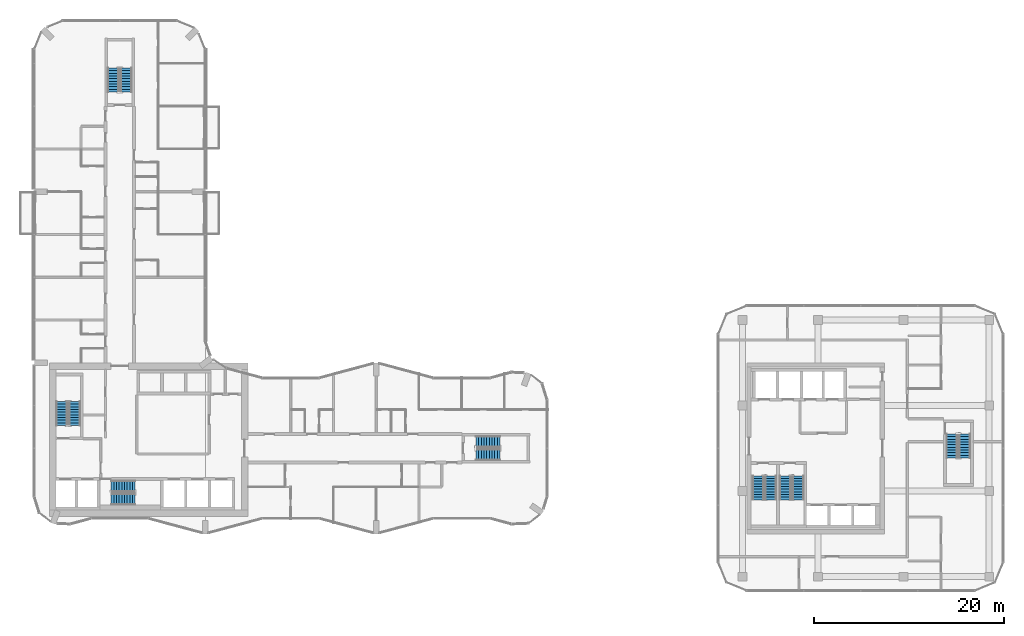
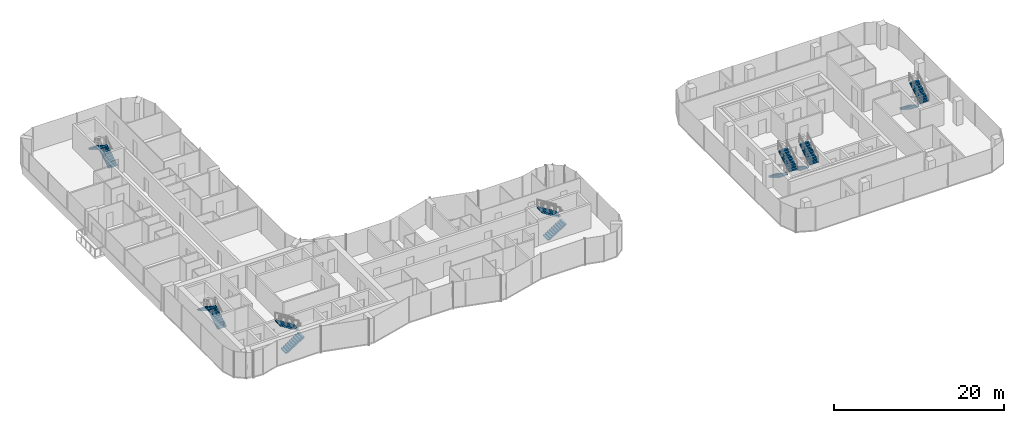
# One storey, part 19 of 22: 14 stair flights, 7 elements without a shape of their own.
"""IFC4 building model written with IfcOpenShell, lengths in metres."""

from ifc_helpers import new_model, si_unit, direction, frame, origin, place, context, subcontext, project, spatial, polyline, outline, extrude, material, type_object, element, aggregate, save


model = new_model("IFC4")

# Units and contexts
model_context = context("Model", 3, precision=1e-05, world=origin(), true_north=direction((0.0, 1.0)))
body_context = subcontext(model_context, "Body", "Model", "MODEL_VIEW")
ifc_project = project(units=[si_unit("LENGTHUNIT", "METRE"), si_unit("AREAUNIT", "SQUARE_METRE"), si_unit("VOLUMEUNIT", "CUBIC_METRE"), si_unit("PLANEANGLEUNIT", "RADIAN"), si_unit("MASSUNIT", "GRAM", prefix="KILO")], contexts=[model_context])

# Site, building, storey
site_placement = place(None, origin())
site = spatial("IfcSite", under=ifc_project, at=site_placement, CompositionType="ELEMENT")
building_placement = place(site_placement, origin())
building = spatial("IfcBuilding", under=site, at=building_placement, Name="Plateau Cross Towers", CompositionType="ELEMENT")
storey_placement = place(building_placement, frame((0.0, 0.0, 68.800048828125)))
storey = spatial("IfcBuildingStorey", under=building, at=storey_placement, Name="L17", CompositionType="ELEMENT", Elevation=68.800048828125)

# Stair, stair flights
ifc_material = material(Name="Concrete C40/50", Category="concrete")
stair_type = type_object("IfcStairType", Name="ST-TWR", PredefinedType="HALF_TURN_STAIR", material=ifc_material)
stair_1_placement = place(storey_placement, origin())
stair_1 = element("IfcStair", 1, at=stair_1_placement, inside=storey, type_object=stair_type, Name="L17 Protected Exit Stair ST-1", PredefinedType="HALF_TURN_STAIR")
stair_flight_type = type_object("IfcStairFlightType", Name="SFL-RC", PredefinedType="STRAIGHT", material=ifc_material)
stair_flight_1_placement = place(storey_placement, frame((4.25, 11.39990234375, 0.0), z_axis=(0.0, 0.0, 1.0), x_axis=(0.0, 1.0, 0.0)))
stair_flight_1 = element("IfcStairFlight", 2, at=stair_flight_1_placement, type_object=stair_flight_type, Name="ST-1 flight 1", NumberOfRisers=10, NumberOfTreads=9, PredefinedType="STRAIGHT", RiserHeight=0.175, TreadLength=0.28, context=body_context, shape_type="SweptSolid", body=[
    extrude(outline(polyline([(-0.0048828125, -0.010009765625), (-0.0048828125, 0.0), (0.0, 0.0), (0.0, 0.175048828125), (0.280029296875, 0.175048828125), (0.280029296875, 0.35009765625), (0.56005859375, 0.35009765625), (0.56005859375, 0.52490234375), (0.840087890625, 0.52490234375), (0.840087890625, 0.699951171875), (1.1201171875, 0.699951171875), (1.1201171875, 0.875), (1.39990234375, 0.875), (1.39990234375, 1.050048828125), (1.679931640625, 1.050048828125), (1.679931640625, 1.22509765625), (1.9599609375, 1.22509765625), (1.9599609375, 1.39990234375), (2.239990234375, 1.39990234375), (2.239990234375, 1.574951171875), (2.52001953125, 1.574951171875), (2.52490234375, 1.56494140625), (2.52490234375, 1.398193359375), (2.52001953125, 1.398193359375), (0.28271484375, 0.0), (0.02001953125, 0.0), (0.02001953125, -0.010009765625), (-0.0048828125, -0.010009765625)])), frame((0.0, 0.60009765625, 0.0), z_axis=(0.0, -1.0, 0.0), x_axis=(1.0, 0.0, 0.0)), (0.0, 0.0, 1.0), 1.199951171875),
])
stair_flight_2_placement = place(storey_placement, frame((2.89990234375, 13.919921875, 1.75), z_axis=(0.0, 0.0, 1.0), x_axis=(0.0, -1.0, 0.0)))
stair_flight_2 = element("IfcStairFlight", 3, at=stair_flight_2_placement, type_object=stair_flight_type, Name="ST-1 flight 2", NumberOfRisers=10, NumberOfTreads=9, PredefinedType="STRAIGHT", RiserHeight=0.175, TreadLength=0.28, context=body_context, shape_type="SweptSolid", body=[
    extrude(outline(polyline([(-0.0048828125, -0.010009765625), (-0.0048828125, 0.0), (0.0, 0.0), (0.0, 0.175048828125), (0.280029296875, 0.175048828125), (0.280029296875, 0.35009765625), (0.56005859375, 0.35009765625), (0.56005859375, 0.52490234375), (0.840087890625, 0.52490234375), (0.840087890625, 0.699951171875), (1.1201171875, 0.699951171875), (1.1201171875, 0.875), (1.39990234375, 0.875), (1.39990234375, 1.050048828125), (1.679931640625, 1.050048828125), (1.679931640625, 1.22509765625), (1.9599609375, 1.22509765625), (1.9599609375, 1.39990234375), (2.239990234375, 1.39990234375), (2.239990234375, 1.574951171875), (2.52001953125, 1.574951171875), (2.52490234375, 1.56494140625), (2.52490234375, 1.398193359375), (2.52001953125, 1.398193359375), (0.28271484375, 0.0), (0.02001953125, 0.0), (0.02001953125, -0.010009765625), (-0.0048828125, -0.010009765625)])), frame((0.0, 0.60009765625, 0.0), z_axis=(0.0, -1.0, 0.0), x_axis=(1.0, 0.0, 0.0)), (0.0, 0.0, 1.0), 1.199951171875),
])
aggregate(stair_1, [stair_flight_1, stair_flight_2])

stair_2_placement = place(storey_placement, origin())
stair_2 = element("IfcStair", 4, at=stair_2_placement, inside=storey, type_object=stair_type, Name="L17 Protected Exit Stair ST-2", PredefinedType="HALF_TURN_STAIR")
stair_flight_3_placement = place(storey_placement, frame((8.10009765625, 3.64990234375, 0.0), z_axis=(0.0, 0.0, 1.0), x_axis=(1.0, 0.0, 0.0)))
stair_flight_3 = element("IfcStairFlight", 5, at=stair_flight_3_placement, type_object=stair_flight_type, Name="ST-2 flight 1", NumberOfRisers=10, NumberOfTreads=9, PredefinedType="STRAIGHT", RiserHeight=0.175, TreadLength=0.28, context=body_context, shape_type="SweptSolid", body=[
    extrude(outline(polyline([(-0.0048828125, -0.010009765625), (-0.0048828125, 0.0), (0.0, 0.0), (0.0, 0.175048828125), (0.280029296875, 0.175048828125), (0.280029296875, 0.35009765625), (0.56005859375, 0.35009765625), (0.56005859375, 0.52490234375), (0.840087890625, 0.52490234375), (0.840087890625, 0.699951171875), (1.1201171875, 0.699951171875), (1.1201171875, 0.875), (1.39990234375, 0.875), (1.39990234375, 1.050048828125), (1.679931640625, 1.050048828125), (1.679931640625, 1.22509765625), (1.9599609375, 1.22509765625), (1.9599609375, 1.39990234375), (2.239990234375, 1.39990234375), (2.239990234375, 1.574951171875), (2.52001953125, 1.574951171875), (2.52490234375, 1.56494140625), (2.52490234375, 1.398193359375), (2.52001953125, 1.398193359375), (0.28271484375, 0.0), (0.02001953125, 0.0), (0.02001953125, -0.010009765625), (-0.0048828125, -0.010009765625)])), frame((0.0, 0.60009765625, 0.0), z_axis=(0.0, -1.0, 0.0), x_axis=(1.0, 0.0, 0.0)), (0.0, 0.0, 1.0), 1.199951171875),
])
stair_flight_4_placement = place(storey_placement, frame((10.6201171875, 5.0, 1.75), z_axis=(0.0, 0.0, 1.0), x_axis=(-1.0, 0.0, 0.0)))
stair_flight_4 = element("IfcStairFlight", 6, at=stair_flight_4_placement, type_object=stair_flight_type, Name="ST-2 flight 2", NumberOfRisers=10, NumberOfTreads=9, PredefinedType="STRAIGHT", RiserHeight=0.175, TreadLength=0.28, context=body_context, shape_type="SweptSolid", body=[
    extrude(outline(polyline([(-0.0048828125, -0.010009765625), (-0.0048828125, 0.0), (0.0, 0.0), (0.0, 0.175048828125), (0.280029296875, 0.175048828125), (0.280029296875, 0.35009765625), (0.56005859375, 0.35009765625), (0.56005859375, 0.52490234375), (0.840087890625, 0.52490234375), (0.840087890625, 0.699951171875), (1.1201171875, 0.699951171875), (1.1201171875, 0.875), (1.39990234375, 0.875), (1.39990234375, 1.050048828125), (1.679931640625, 1.050048828125), (1.679931640625, 1.22509765625), (1.9599609375, 1.22509765625), (1.9599609375, 1.39990234375), (2.239990234375, 1.39990234375), (2.239990234375, 1.574951171875), (2.52001953125, 1.574951171875), (2.52490234375, 1.56494140625), (2.52490234375, 1.398193359375), (2.52001953125, 1.398193359375), (0.28271484375, 0.0), (0.02001953125, 0.0), (0.02001953125, -0.010009765625), (-0.0048828125, -0.010009765625)])), frame((0.0, 0.60009765625, 0.0), z_axis=(0.0, -1.0, 0.0), x_axis=(1.0, 0.0, 0.0)), (0.0, 0.0, 1.0), 1.199951171875),
])
aggregate(stair_2, [stair_flight_3, stair_flight_4])

stair_3_placement = place(storey_placement, origin())
stair_3 = element("IfcStair", 7, at=stair_3_placement, inside=storey, type_object=stair_type, Name="L17 Protected Exit Stair SB-1", PredefinedType="HALF_TURN_STAIR")
stair_flight_5_placement = place(storey_placement, frame((76.199951171875, 6.10009765625, 0.0), z_axis=(0.0, 0.0, 1.0), x_axis=(0.0, -1.0, 0.0)))
stair_flight_5 = element("IfcStairFlight", 8, at=stair_flight_5_placement, type_object=stair_flight_type, Name="SB-1 flight 1", NumberOfRisers=10, NumberOfTreads=9, PredefinedType="STRAIGHT", RiserHeight=0.175, TreadLength=0.28, context=body_context, shape_type="SweptSolid", body=[
    extrude(outline(polyline([(-0.0048828125, -0.010009765625), (-0.0048828125, 0.0), (0.0, 0.0), (0.0, 0.175048828125), (0.280029296875, 0.175048828125), (0.280029296875, 0.35009765625), (0.56005859375, 0.35009765625), (0.56005859375, 0.52490234375), (0.840087890625, 0.52490234375), (0.840087890625, 0.699951171875), (1.1201171875, 0.699951171875), (1.1201171875, 0.875), (1.39990234375, 0.875), (1.39990234375, 1.050048828125), (1.679931640625, 1.050048828125), (1.679931640625, 1.22509765625), (1.9599609375, 1.22509765625), (1.9599609375, 1.39990234375), (2.239990234375, 1.39990234375), (2.239990234375, 1.574951171875), (2.52001953125, 1.574951171875), (2.52490234375, 1.56494140625), (2.52490234375, 1.398193359375), (2.52001953125, 1.398193359375), (0.28271484375, 0.0), (0.02001953125, 0.0), (0.02001953125, -0.010009765625), (-0.0048828125, -0.010009765625)])), frame((0.0, 0.60009765625, 0.0), z_axis=(0.0, -1.0, 0.0), x_axis=(1.0, 0.0, 0.0)), (0.0, 0.0, 1.0), 1.199951171875),
])
stair_flight_6_placement = place(storey_placement, frame((77.550048828125, 3.580078125, 1.75), z_axis=(0.0, 0.0, 1.0), x_axis=(0.0, 1.0, 0.0)))
stair_flight_6 = element("IfcStairFlight", 9, at=stair_flight_6_placement, type_object=stair_flight_type, Name="SB-1 flight 2", NumberOfRisers=10, NumberOfTreads=9, PredefinedType="STRAIGHT", RiserHeight=0.175, TreadLength=0.28, context=body_context, shape_type="SweptSolid", body=[
    extrude(outline(polyline([(-0.0048828125, -0.010009765625), (-0.0048828125, 0.0), (0.0, 0.0), (0.0, 0.175048828125), (0.280029296875, 0.175048828125), (0.280029296875, 0.35009765625), (0.56005859375, 0.35009765625), (0.56005859375, 0.52490234375), (0.840087890625, 0.52490234375), (0.840087890625, 0.699951171875), (1.1201171875, 0.699951171875), (1.1201171875, 0.875), (1.39990234375, 0.875), (1.39990234375, 1.050048828125), (1.679931640625, 1.050048828125), (1.679931640625, 1.22509765625), (1.9599609375, 1.22509765625), (1.9599609375, 1.39990234375), (2.239990234375, 1.39990234375), (2.239990234375, 1.574951171875), (2.52001953125, 1.574951171875), (2.52490234375, 1.56494140625), (2.52490234375, 1.398193359375), (2.52001953125, 1.398193359375), (0.28271484375, 0.0), (0.02001953125, 0.0), (0.02001953125, -0.010009765625), (-0.0048828125, -0.010009765625)])), frame((0.0, 0.60009765625, 0.0), z_axis=(0.0, -1.0, 0.0), x_axis=(1.0, 0.0, 0.0)), (0.0, 0.0, 1.0), 1.199951171875),
])
aggregate(stair_3, [stair_flight_5, stair_flight_6])

stair_4_placement = place(storey_placement, origin())
stair_4 = element("IfcStair", 10, at=stair_4_placement, inside=storey, type_object=stair_type, Name="L17 Protected Exit Stair SB-2", PredefinedType="HALF_TURN_STAIR")
stair_flight_7_placement = place(storey_placement, frame((79.050048828125, 6.10009765625, 0.0), z_axis=(0.0, 0.0, 1.0), x_axis=(0.0, -1.0, 0.0)))
stair_flight_7 = element("IfcStairFlight", 11, at=stair_flight_7_placement, type_object=stair_flight_type, Name="SB-2 flight 1", NumberOfRisers=10, NumberOfTreads=9, PredefinedType="STRAIGHT", RiserHeight=0.175, TreadLength=0.28, context=body_context, shape_type="SweptSolid", body=[
    extrude(outline(polyline([(-0.0048828125, -0.010009765625), (-0.0048828125, 0.0), (0.0, 0.0), (0.0, 0.175048828125), (0.280029296875, 0.175048828125), (0.280029296875, 0.35009765625), (0.56005859375, 0.35009765625), (0.56005859375, 0.52490234375), (0.840087890625, 0.52490234375), (0.840087890625, 0.699951171875), (1.1201171875, 0.699951171875), (1.1201171875, 0.875), (1.39990234375, 0.875), (1.39990234375, 1.050048828125), (1.679931640625, 1.050048828125), (1.679931640625, 1.22509765625), (1.9599609375, 1.22509765625), (1.9599609375, 1.39990234375), (2.239990234375, 1.39990234375), (2.239990234375, 1.574951171875), (2.52001953125, 1.574951171875), (2.52490234375, 1.56494140625), (2.52490234375, 1.398193359375), (2.52001953125, 1.398193359375), (0.28271484375, 0.0), (0.02001953125, 0.0), (0.02001953125, -0.010009765625), (-0.0048828125, -0.010009765625)])), frame((0.0, 0.60009765625, 0.0), z_axis=(0.0, -1.0, 0.0), x_axis=(1.0, 0.0, 0.0)), (0.0, 0.0, 1.0), 1.199951171875),
])
stair_flight_8_placement = place(storey_placement, frame((80.39990234375, 3.580078125, 1.75), z_axis=(0.0, 0.0, 1.0), x_axis=(0.0, 1.0, 0.0)))
stair_flight_8 = element("IfcStairFlight", 12, at=stair_flight_8_placement, type_object=stair_flight_type, Name="SB-2 flight 2", NumberOfRisers=10, NumberOfTreads=9, PredefinedType="STRAIGHT", RiserHeight=0.175, TreadLength=0.28, context=body_context, shape_type="SweptSolid", body=[
    extrude(outline(polyline([(-0.0048828125, -0.010009765625), (-0.0048828125, 0.0), (0.0, 0.0), (0.0, 0.175048828125), (0.280029296875, 0.175048828125), (0.280029296875, 0.35009765625), (0.56005859375, 0.35009765625), (0.56005859375, 0.52490234375), (0.840087890625, 0.52490234375), (0.840087890625, 0.699951171875), (1.1201171875, 0.699951171875), (1.1201171875, 0.875), (1.39990234375, 0.875), (1.39990234375, 1.050048828125), (1.679931640625, 1.050048828125), (1.679931640625, 1.22509765625), (1.9599609375, 1.22509765625), (1.9599609375, 1.39990234375), (2.239990234375, 1.39990234375), (2.239990234375, 1.574951171875), (2.52001953125, 1.574951171875), (2.52490234375, 1.56494140625), (2.52490234375, 1.398193359375), (2.52001953125, 1.398193359375), (0.28271484375, 0.0), (0.02001953125, 0.0), (0.02001953125, -0.010009765625), (-0.0048828125, -0.010009765625)])), frame((0.0, 0.60009765625, 0.0), z_axis=(0.0, -1.0, 0.0), x_axis=(1.0, 0.0, 0.0)), (0.0, 0.0, 1.0), 1.199951171875),
])
aggregate(stair_4, [stair_flight_7, stair_flight_8])

stair_5_placement = place(storey_placement, origin())
stair_5 = element("IfcStair", 13, at=stair_5_placement, inside=storey, type_object=stair_type, Name="L17 Protected Exit Stair SB-3", PredefinedType="HALF_TURN_STAIR")
stair_flight_9_placement = place(storey_placement, frame((96.60009765625, 10.5, 0.0), z_axis=(0.0, 0.0, 1.0), x_axis=(0.0, -1.0, 0.0)))
stair_flight_9 = element("IfcStairFlight", 14, at=stair_flight_9_placement, type_object=stair_flight_type, Name="SB-3 flight 1", NumberOfRisers=10, NumberOfTreads=9, PredefinedType="STRAIGHT", RiserHeight=0.175, TreadLength=0.28, context=body_context, shape_type="SweptSolid", body=[
    extrude(outline(polyline([(-0.0048828125, -0.010009765625), (-0.0048828125, 0.0), (0.0, 0.0), (0.0, 0.175048828125), (0.280029296875, 0.175048828125), (0.280029296875, 0.35009765625), (0.56005859375, 0.35009765625), (0.56005859375, 0.52490234375), (0.840087890625, 0.52490234375), (0.840087890625, 0.699951171875), (1.1201171875, 0.699951171875), (1.1201171875, 0.875), (1.39990234375, 0.875), (1.39990234375, 1.050048828125), (1.679931640625, 1.050048828125), (1.679931640625, 1.22509765625), (1.9599609375, 1.22509765625), (1.9599609375, 1.39990234375), (2.239990234375, 1.39990234375), (2.239990234375, 1.574951171875), (2.52001953125, 1.574951171875), (2.52490234375, 1.56494140625), (2.52490234375, 1.398193359375), (2.52001953125, 1.398193359375), (0.28271484375, 0.0), (0.02001953125, 0.0), (0.02001953125, -0.010009765625), (-0.0048828125, -0.010009765625)])), frame((0.0, 0.60009765625, 0.0), z_axis=(0.0, -1.0, 0.0), x_axis=(1.0, 0.0, 0.0)), (0.0, 0.0, 1.0), 1.199951171875),
])
stair_flight_10_placement = place(storey_placement, frame((97.949951171875, 7.97998046875, 1.75), z_axis=(0.0, 0.0, 1.0), x_axis=(0.0, 1.0, 0.0)))
stair_flight_10 = element("IfcStairFlight", 15, at=stair_flight_10_placement, type_object=stair_flight_type, Name="SB-3 flight 2", NumberOfRisers=10, NumberOfTreads=9, PredefinedType="STRAIGHT", RiserHeight=0.175, TreadLength=0.28, context=body_context, shape_type="SweptSolid", body=[
    extrude(outline(polyline([(-0.0048828125, -0.010009765625), (-0.0048828125, 0.0), (0.0, 0.0), (0.0, 0.175048828125), (0.280029296875, 0.175048828125), (0.280029296875, 0.35009765625), (0.56005859375, 0.35009765625), (0.56005859375, 0.52490234375), (0.840087890625, 0.52490234375), (0.840087890625, 0.699951171875), (1.1201171875, 0.699951171875), (1.1201171875, 0.875), (1.39990234375, 0.875), (1.39990234375, 1.050048828125), (1.679931640625, 1.050048828125), (1.679931640625, 1.22509765625), (1.9599609375, 1.22509765625), (1.9599609375, 1.39990234375), (2.239990234375, 1.39990234375), (2.239990234375, 1.574951171875), (2.52001953125, 1.574951171875), (2.52490234375, 1.56494140625), (2.52490234375, 1.398193359375), (2.52001953125, 1.398193359375), (0.28271484375, 0.0), (0.02001953125, 0.0), (0.02001953125, -0.010009765625), (-0.0048828125, -0.010009765625)])), frame((0.0, 0.60009765625, 0.0), z_axis=(0.0, -1.0, 0.0), x_axis=(1.0, 0.0, 0.0)), (0.0, 0.0, 1.0), 1.199951171875),
])
aggregate(stair_5, [stair_flight_9, stair_flight_10])

stair_6_placement = place(storey_placement, origin())
stair_6 = element("IfcStair", 16, at=stair_6_placement, inside=storey, type_object=stair_type, Name="L17 Protected Exit Stair E", PredefinedType="HALF_TURN_STAIR")
stair_flight_11_placement = place(storey_placement, frame((46.5, 8.324951171875, 0.0), z_axis=(0.0, 0.0, 1.0), x_axis=(1.0, 0.0, 0.0)))
stair_flight_11 = element("IfcStairFlight", 17, at=stair_flight_11_placement, type_object=stair_flight_type, Name="ES-E flight 1", NumberOfRisers=10, NumberOfTreads=9, PredefinedType="STRAIGHT", RiserHeight=0.175, TreadLength=0.28, context=body_context, shape_type="SweptSolid", body=[
    extrude(outline(polyline([(-0.0048828125, -0.010009765625), (-0.0048828125, 0.0), (0.0, 0.0), (0.0, 0.175048828125), (0.280029296875, 0.175048828125), (0.280029296875, 0.35009765625), (0.56005859375, 0.35009765625), (0.56005859375, 0.52490234375), (0.840087890625, 0.52490234375), (0.840087890625, 0.699951171875), (1.1201171875, 0.699951171875), (1.1201171875, 0.875), (1.39990234375, 0.875), (1.39990234375, 1.050048828125), (1.679931640625, 1.050048828125), (1.679931640625, 1.22509765625), (1.9599609375, 1.22509765625), (1.9599609375, 1.39990234375), (2.239990234375, 1.39990234375), (2.239990234375, 1.574951171875), (2.52001953125, 1.574951171875), (2.52490234375, 1.56494140625), (2.52490234375, 1.398193359375), (2.52001953125, 1.398193359375), (0.28271484375, 0.0), (0.02001953125, 0.0), (0.02001953125, -0.010009765625), (-0.0048828125, -0.010009765625)])), frame((0.0, 0.60009765625, 0.0), z_axis=(0.0, -1.0, 0.0), x_axis=(1.0, 0.0, 0.0)), (0.0, 0.0, 1.0), 1.199951171875),
])
stair_flight_12_placement = place(storey_placement, frame((49.02001953125, 9.675048828125, 1.75), z_axis=(0.0, 0.0, 1.0), x_axis=(-1.0, 0.0, 0.0)))
stair_flight_12 = element("IfcStairFlight", 18, at=stair_flight_12_placement, type_object=stair_flight_type, Name="ES-E flight 2", NumberOfRisers=10, NumberOfTreads=9, PredefinedType="STRAIGHT", RiserHeight=0.175, TreadLength=0.28, context=body_context, shape_type="SweptSolid", body=[
    extrude(outline(polyline([(-0.0048828125, -0.010009765625), (-0.0048828125, 0.0), (0.0, 0.0), (0.0, 0.175048828125), (0.280029296875, 0.175048828125), (0.280029296875, 0.35009765625), (0.56005859375, 0.35009765625), (0.56005859375, 0.52490234375), (0.840087890625, 0.52490234375), (0.840087890625, 0.699951171875), (1.1201171875, 0.699951171875), (1.1201171875, 0.875), (1.39990234375, 0.875), (1.39990234375, 1.050048828125), (1.679931640625, 1.050048828125), (1.679931640625, 1.22509765625), (1.9599609375, 1.22509765625), (1.9599609375, 1.39990234375), (2.239990234375, 1.39990234375), (2.239990234375, 1.574951171875), (2.52001953125, 1.574951171875), (2.52490234375, 1.56494140625), (2.52490234375, 1.398193359375), (2.52001953125, 1.398193359375), (0.28271484375, 0.0), (0.02001953125, 0.0), (0.02001953125, -0.010009765625), (-0.0048828125, -0.010009765625)])), frame((0.0, 0.60009765625, 0.0), z_axis=(0.0, -1.0, 0.0), x_axis=(1.0, 0.0, 0.0)), (0.0, 0.0, 1.0), 1.199951171875),
])
aggregate(stair_6, [stair_flight_11, stair_flight_12])

stair_7_placement = place(storey_placement, origin())
stair_7 = element("IfcStair", 19, at=stair_7_placement, inside=storey, type_object=stair_type, Name="L17 Protected Exit Stair N", PredefinedType="HALF_TURN_STAIR")
stair_flight_13_placement = place(storey_placement, frame((9.675048828125, 46.5, 0.0), z_axis=(0.0, 0.0, 1.0), x_axis=(0.0, 1.0, 0.0)))
stair_flight_13 = element("IfcStairFlight", 20, at=stair_flight_13_placement, type_object=stair_flight_type, Name="ES-N flight 1", NumberOfRisers=10, NumberOfTreads=9, PredefinedType="STRAIGHT", RiserHeight=0.175, TreadLength=0.28, context=body_context, shape_type="SweptSolid", body=[
    extrude(outline(polyline([(-0.0048828125, -0.010009765625), (-0.0048828125, 0.0), (0.0, 0.0), (0.0, 0.175048828125), (0.280029296875, 0.175048828125), (0.280029296875, 0.35009765625), (0.56005859375, 0.35009765625), (0.56005859375, 0.52490234375), (0.840087890625, 0.52490234375), (0.840087890625, 0.699951171875), (1.1201171875, 0.699951171875), (1.1201171875, 0.875), (1.39990234375, 0.875), (1.39990234375, 1.050048828125), (1.679931640625, 1.050048828125), (1.679931640625, 1.22509765625), (1.9599609375, 1.22509765625), (1.9599609375, 1.39990234375), (2.239990234375, 1.39990234375), (2.239990234375, 1.574951171875), (2.52001953125, 1.574951171875), (2.52490234375, 1.56494140625), (2.52490234375, 1.398193359375), (2.52001953125, 1.398193359375), (0.28271484375, 0.0), (0.02001953125, 0.0), (0.02001953125, -0.010009765625), (-0.0048828125, -0.010009765625)])), frame((0.0, 0.60009765625, 0.0), z_axis=(0.0, -1.0, 0.0), x_axis=(1.0, 0.0, 0.0)), (0.0, 0.0, 1.0), 1.199951171875),
])
stair_flight_14_placement = place(storey_placement, frame((8.324951171875, 49.02001953125, 1.75), z_axis=(0.0, 0.0, 1.0), x_axis=(0.0, -1.0, 0.0)))
stair_flight_14 = element("IfcStairFlight", 21, at=stair_flight_14_placement, type_object=stair_flight_type, Name="ES-N flight 2", NumberOfRisers=10, NumberOfTreads=9, PredefinedType="STRAIGHT", RiserHeight=0.175, TreadLength=0.28, context=body_context, shape_type="SweptSolid", body=[
    extrude(outline(polyline([(-0.0048828125, -0.010009765625), (-0.0048828125, 0.0), (0.0, 0.0), (0.0, 0.175048828125), (0.280029296875, 0.175048828125), (0.280029296875, 0.35009765625), (0.56005859375, 0.35009765625), (0.56005859375, 0.52490234375), (0.840087890625, 0.52490234375), (0.840087890625, 0.699951171875), (1.1201171875, 0.699951171875), (1.1201171875, 0.875), (1.39990234375, 0.875), (1.39990234375, 1.050048828125), (1.679931640625, 1.050048828125), (1.679931640625, 1.22509765625), (1.9599609375, 1.22509765625), (1.9599609375, 1.39990234375), (2.239990234375, 1.39990234375), (2.239990234375, 1.574951171875), (2.52001953125, 1.574951171875), (2.52490234375, 1.56494140625), (2.52490234375, 1.398193359375), (2.52001953125, 1.398193359375), (0.28271484375, 0.0), (0.02001953125, 0.0), (0.02001953125, -0.010009765625), (-0.0048828125, -0.010009765625)])), frame((0.0, 0.60009765625, 0.0), z_axis=(0.0, -1.0, 0.0), x_axis=(1.0, 0.0, 0.0)), (0.0, 0.0, 1.0), 1.199951171875),
])
aggregate(stair_7, [stair_flight_13, stair_flight_14])

save(model, "model.ifc")
